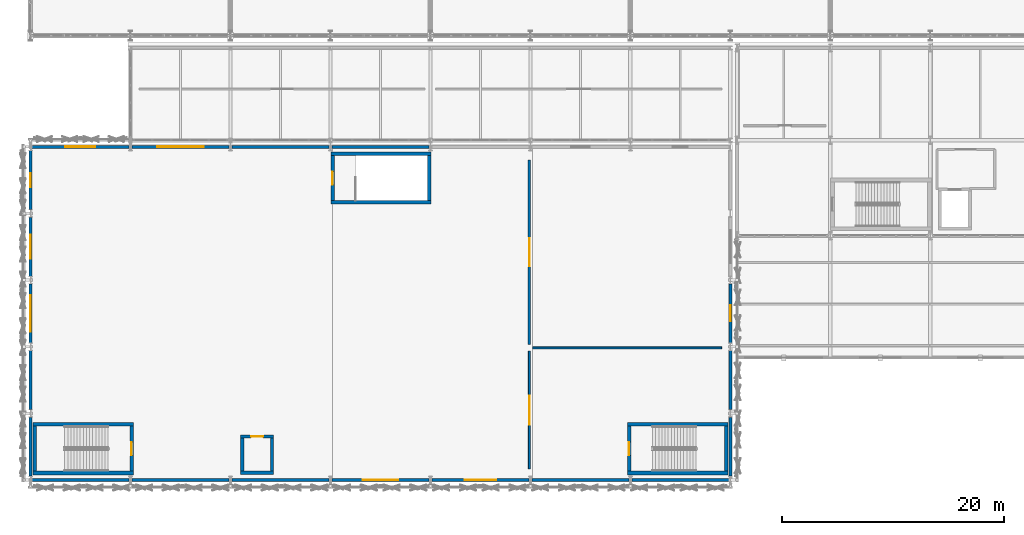
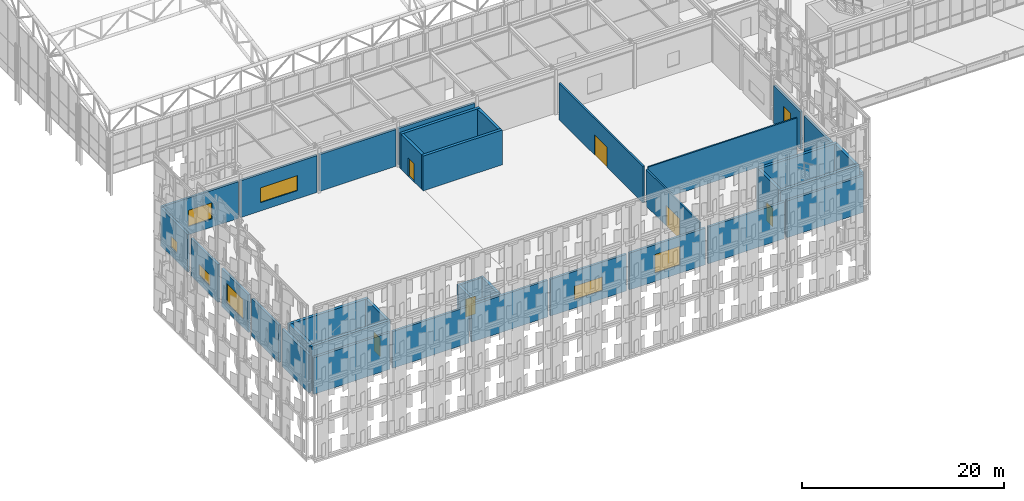
# One storey, part 200 of 239: 38 walls, 8 windows, 6 doors, 14 openings.
"""IFC4 building model written with IfcOpenShell, lengths in metres."""

from ifc_helpers import new_model, si_unit, direction, frame, frame_2d, origin, place, context, subcontext, project, spatial, rectangle, extrude, material, layer, layer_set, type_object, element, fill, save


model = new_model("IFC4")

# Units and contexts
model_context = context("Model", 3, precision=1e-05, world=origin(), true_north=direction((0.0, 1.0)))
body_context = subcontext(model_context, "Body", "Model", "MODEL_VIEW")
ifc_project = project(units=[si_unit("LENGTHUNIT", "METRE"), si_unit("AREAUNIT", "SQUARE_METRE"), si_unit("VOLUMEUNIT", "CUBIC_METRE"), si_unit("PLANEANGLEUNIT", "RADIAN"), si_unit("MASSUNIT", "GRAM", prefix="KILO")], contexts=[model_context])

# Site, building, storey
site_placement = place(None, origin())
site = spatial("IfcSite", under=ifc_project, at=site_placement, CompositionType="ELEMENT")
building_placement = place(site_placement, origin())
building = spatial("IfcBuilding", under=site, at=building_placement, Name="Kaldris Quays Convention Centre", CompositionType="ELEMENT")
storey_placement = place(building_placement, frame((0.0, 0.0, 11.39990234375)))
storey = spatial("IfcBuildingStorey", under=building, at=storey_placement, Name="L02", CompositionType="ELEMENT", Elevation=11.39990234375)

# Wall
ifc_material_1 = material(Name="Precast concrete C40/50", Category="concrete")
ifc_layer_1 = layer(ifc_material_1, 0.263916015625)
ifc_layer_set_1 = layer_set([ifc_layer_1], Name="Precast concrete C40/50")
wall_type_1 = type_object("IfcWallType", Name="EXTERIOR WALL EW04", PredefinedType="STANDARD", material=ifc_layer_set_1)
wall_1_placement = place(storey_placement, frame((20.14599609375, 16.0, 0.0), z_axis=(0.0, 0.0, 1.0), x_axis=(1.0, 0.0, 0.0)))
element("IfcWall", 1, at=wall_1_placement, inside=storey, type_object=wall_type_1, Name="L02 Exterior Wall EW04 166", PredefinedType="STANDARD", context=body_context, shape_type="SweptSolid", body=[
    extrude(rectangle(XDim=8.7080078125, YDim=0.263916015625, at=frame_2d((4.35400390625, 0.0))), origin(), (0.0, 0.0, 1.0), 4.43798828125),
])

# Wall, opening, window
wall_2_placement = place(storey_placement, frame((20.14599609375, 46.0, 0.0), z_axis=(0.0, 0.0, 1.0), x_axis=(1.0, 0.0, 0.0)))
wall_2 = element("IfcWall", 2, at=wall_2_placement, inside=storey, type_object=wall_type_1, Name="L02 Exterior Wall EW04 167", PredefinedType="STANDARD", context=body_context, shape_type="SweptSolid", body=[
    extrude(rectangle(XDim=8.7080078125, YDim=0.263916015625, at=frame_2d((4.35400390625, 0.0))), origin(), (0.0, 0.0, 1.0), 4.43798828125),
])
opening_1_placement = place(wall_2_placement, frame((3.00390625, 0.0, 1.0)))
opening_1 = element("IfcOpeningElement", 3, at=opening_1_placement, cuts=wall_2, Name="Opening WN05", PredefinedType="OPENING", context=body_context, shape_type="SweptSolid", body=[
    extrude(rectangle(XDim=2.699951171875, YDim=1.949951171875, at=frame_2d((1.35009765625, 0.97509765625))), frame((0.0, 0.14208984375, 0.0), z_axis=(0.0, -1.0, 0.0), x_axis=(1.0, 0.0, 0.0)), (0.0, 0.0, 1.0), 0.283935546875),
])
ifc_material_2 = material(Name="Triple low-E insulated glazing", Category="glass")
window_type_1 = type_object("IfcWindowType", Name="TRIPLE GLAZED WINDOW WN05", PartitioningType="SINGLE_PANEL", PredefinedType="WINDOW", material=ifc_material_2)
window_1_placement = place(opening_1_placement, origin())
window_1 = element("IfcWindow", 4, at=window_1_placement, inside=storey, type_object=window_type_1, Name="L02 Exterior Window WN05 60", OverallHeight=1.949951171875, OverallWidth=2.699951171875, PartitioningType="SINGLE_PANEL", PredefinedType="WINDOW", context=body_context, shape_type="SweptSolid", body=[
    extrude(rectangle(XDim=2.699951171875, YDim=1.949951171875, at=frame_2d((1.35009765625, 0.97509765625))), frame((0.0, 0.030029296875, 0.0), z_axis=(0.0, -1.0, 0.0), x_axis=(1.0, 0.0, 0.0)), (0.0, 0.0, 1.0), 0.06005859375),
])
fill(opening_1, window_1)

# Wall
wall_3_placement = place(storey_placement, frame((29.14599609375, 16.0, 0.0), z_axis=(0.0, 0.0, 1.0), x_axis=(1.0, 0.0, 0.0)))
element("IfcWall", 5, at=wall_3_placement, inside=storey, type_object=wall_type_1, Name="L02 Exterior Wall EW04 168", PredefinedType="STANDARD", context=body_context, shape_type="SweptSolid", body=[
    extrude(rectangle(XDim=8.7080078125, YDim=0.263916015625, at=frame_2d((4.35400390625, 0.0))), origin(), (0.0, 0.0, 1.0), 4.43798828125),
])

# Wall, opening, window
wall_4_placement = place(storey_placement, frame((29.14599609375, 46.0, 0.0), z_axis=(0.0, 0.0, 1.0), x_axis=(1.0, 0.0, 0.0)))
wall_4 = element("IfcWall", 6, at=wall_4_placement, inside=storey, type_object=wall_type_1, Name="L02 Exterior Wall EW04 169", PredefinedType="STANDARD", context=body_context, shape_type="SweptSolid", body=[
    extrude(rectangle(XDim=8.7080078125, YDim=0.263916015625, at=frame_2d((4.35400390625, 0.0))), origin(), (0.0, 0.0, 1.0), 4.43798828125),
])
opening_2_placement = place(wall_4_placement, frame((2.25390625, 0.0, 1.0)))
opening_2 = element("IfcOpeningElement", 7, at=opening_2_placement, cuts=wall_4, Name="Opening WN07", PredefinedType="OPENING", context=body_context, shape_type="SweptSolid", body=[
    extrude(rectangle(XDim=4.199951171875, YDim=1.800048828125, at=frame_2d((2.10009765625, 0.89990234375))), frame((0.0, 0.14208984375, 0.0), z_axis=(0.0, -1.0, 0.0), x_axis=(1.0, 0.0, 0.0)), (0.0, 0.0, 1.0), 0.283935546875),
])
window_type_2 = type_object("IfcWindowType", Name="TRIPLE GLAZED WINDOW WN07", PartitioningType="SINGLE_PANEL", PredefinedType="WINDOW", material=ifc_material_2)
window_2_placement = place(opening_2_placement, origin())
window_2 = element("IfcWindow", 8, at=window_2_placement, inside=storey, type_object=window_type_2, Name="L02 Exterior Window WN07 61", OverallHeight=1.800048828125, OverallWidth=4.199951171875, PartitioningType="SINGLE_PANEL", PredefinedType="WINDOW", context=body_context, shape_type="SweptSolid", body=[
    extrude(rectangle(XDim=4.199951171875, YDim=1.800048828125, at=frame_2d((2.10009765625, 0.89990234375))), frame((0.0, 0.030029296875, 0.0), z_axis=(0.0, -1.0, 0.0), x_axis=(1.0, 0.0, 0.0)), (0.0, 0.0, 1.0), 0.06005859375),
])
fill(opening_2, window_2)

# Walls
for number, where, z_axis, x_axis, name in (
    (9, (38.14599609375, 16.0, 0.0), (0.0, 0.0, 1.0), (1.0, 0.0, 0.0), "L02 Exterior Wall EW04 170"),
    (10, (38.14599609375, 46.0, 0.0), (0.0, 0.0, 1.0), (1.0, 0.0, 0.0), "L02 Exterior Wall EW04 171"),
):
    element("IfcWall", number, at=place(storey_placement, frame(where, z_axis=z_axis, x_axis=x_axis)), inside=storey, type_object=wall_type_1, Name=name, PredefinedType="STANDARD", context=body_context, shape_type="SweptSolid", body=[
        extrude(rectangle(XDim=8.7080078125, YDim=0.263916015625, at=frame_2d((4.35400390625, 0.0))), origin(), (0.0, 0.0, 1.0), 4.43798828125),
    ])

# Wall, opening, window
wall_5_placement = place(storey_placement, frame((47.14599609375, 16.0, 0.0), z_axis=(0.0, 0.0, 1.0), x_axis=(1.0, 0.0, 0.0)))
wall_5 = element("IfcWall", 11, at=wall_5_placement, inside=storey, type_object=wall_type_1, Name="L02 Exterior Wall EW04 172", PredefinedType="STANDARD", context=body_context, shape_type="SweptSolid", body=[
    extrude(rectangle(XDim=8.7080078125, YDim=0.263916015625, at=frame_2d((4.35400390625, 0.0))), origin(), (0.0, 0.0, 1.0), 4.43798828125),
])
opening_3_placement = place(wall_5_placement, frame((2.75390625, 0.0, 1.0)))
opening_3 = element("IfcOpeningElement", 12, at=opening_3_placement, cuts=wall_5, Name="Opening WN10", PredefinedType="OPENING", context=body_context, shape_type="SweptSolid", body=[
    extrude(rectangle(XDim=3.199951171875, YDim=1.64990234375, at=frame_2d((1.60009765625, 0.824951171875))), frame((0.0, 0.14208984375, 0.0), z_axis=(0.0, -1.0, 0.0), x_axis=(1.0, 0.0, 0.0)), (0.0, 0.0, 1.0), 0.283935546875),
])
window_type_3 = type_object("IfcWindowType", Name="TRIPLE GLAZED WINDOW WN10", PartitioningType="SINGLE_PANEL", PredefinedType="WINDOW", material=ifc_material_2)
window_3_placement = place(opening_3_placement, origin())
window_3 = element("IfcWindow", 13, at=window_3_placement, inside=storey, type_object=window_type_3, Name="L02 Exterior Window WN10 62", OverallHeight=1.64990234375, OverallWidth=3.199951171875, PartitioningType="SINGLE_PANEL", PredefinedType="WINDOW", context=body_context, shape_type="SweptSolid", body=[
    extrude(rectangle(XDim=3.199951171875, YDim=1.64990234375, at=frame_2d((1.60009765625, 0.824951171875))), frame((0.0, 0.030029296875, 0.0), z_axis=(0.0, -1.0, 0.0), x_axis=(1.0, 0.0, 0.0)), (0.0, 0.0, 1.0), 0.06005859375),
])
fill(opening_3, window_3)

# Wall
wall_6_placement = place(storey_placement, frame((47.14599609375, 46.0, 0.0), z_axis=(0.0, 0.0, 1.0), x_axis=(1.0, 0.0, 0.0)))
element("IfcWall", 14, at=wall_6_placement, inside=storey, type_object=wall_type_1, Name="L02 Exterior Wall EW04 173", PredefinedType="STANDARD", context=body_context, shape_type="SweptSolid", body=[
    extrude(rectangle(XDim=8.7080078125, YDim=0.263916015625, at=frame_2d((4.35400390625, 0.0))), origin(), (0.0, 0.0, 1.0), 4.43798828125),
])

# Wall, opening, window
wall_7_placement = place(storey_placement, frame((56.14599609375, 16.0, 0.0), z_axis=(0.0, 0.0, 1.0), x_axis=(1.0, 0.0, 0.0)))
wall_7 = element("IfcWall", 15, at=wall_7_placement, inside=storey, type_object=wall_type_1, Name="L02 Exterior Wall EW04 174", PredefinedType="STANDARD", context=body_context, shape_type="SweptSolid", body=[
    extrude(rectangle(XDim=8.7080078125, YDim=0.263916015625, at=frame_2d((4.35400390625, 0.0))), origin(), (0.0, 0.0, 1.0), 4.43798828125),
])
opening_4_placement = place(wall_7_placement, frame((2.928955078125, 0.0, 1.0)))
opening_4 = element("IfcOpeningElement", 16, at=opening_4_placement, cuts=wall_7, Name="Opening WN12", PredefinedType="OPENING", context=body_context, shape_type="SweptSolid", body=[
    extrude(rectangle(XDim=2.85009765625, YDim=2.25, at=frame_2d((1.425048828125, 1.125))), frame((0.0, 0.14208984375, 0.0), z_axis=(0.0, -1.0, 0.0), x_axis=(1.0, 0.0, 0.0)), (0.0, 0.0, 1.0), 0.283935546875),
])
window_type_4 = type_object("IfcWindowType", Name="TRIPLE GLAZED WINDOW WN12", PartitioningType="SINGLE_PANEL", PredefinedType="WINDOW", material=ifc_material_2)
window_4_placement = place(opening_4_placement, origin())
window_4 = element("IfcWindow", 17, at=window_4_placement, inside=storey, type_object=window_type_4, Name="L02 Exterior Window WN12 63", OverallHeight=2.25, OverallWidth=2.85009765625, PartitioningType="SINGLE_PANEL", PredefinedType="WINDOW", context=body_context, shape_type="SweptSolid", body=[
    extrude(rectangle(XDim=2.85009765625, YDim=2.25, at=frame_2d((1.425048828125, 1.125))), frame((0.0, 0.030029296875, 0.0), z_axis=(0.0, -1.0, 0.0), x_axis=(1.0, 0.0, 0.0)), (0.0, 0.0, 1.0), 0.06005859375),
])
fill(opening_4, window_4)

# Walls
for number, where, z_axis, x_axis, name in (
    (18, (65.14599609375, 16.0, 0.0), (0.0, 0.0, 1.0), (1.0, 0.0, 0.0), "L02 Exterior Wall EW04 176"),
    (19, (74.14599609375, 16.0, 0.0), (0.0, 0.0, 1.0), (1.0, 0.0, 0.0), "L02 Exterior Wall EW04 178"),
):
    element("IfcWall", number, at=place(storey_placement, frame(where, z_axis=z_axis, x_axis=x_axis)), inside=storey, type_object=wall_type_1, Name=name, PredefinedType="STANDARD", context=body_context, shape_type="SweptSolid", body=[
        extrude(rectangle(XDim=8.7080078125, YDim=0.263916015625, at=frame_2d((4.35400390625, 0.0))), origin(), (0.0, 0.0, 1.0), 4.43798828125),
    ])
for number, where, z_axis, x_axis, name in (
    (20, (20.0, 16.345947265625, 0.0), (0.0, 0.0, 1.0), (0.0, 1.0, 0.0), "L02 Exterior Wall EW04 180"),
    (21, (83.0, 16.345947265625, 0.0), (0.0, 0.0, 1.0), (0.0, 1.0, 0.0), "L02 Exterior Wall EW04 181"),
    (22, (20.0, 22.345947265625, 0.0), (0.0, 0.0, 1.0), (0.0, 1.0, 0.0), "L02 Exterior Wall EW04 182"),
    (23, (83.0, 22.345947265625, 0.0), (0.0, 0.0, 1.0), (0.0, 1.0, 0.0), "L02 Exterior Wall EW04 183"),
):
    element("IfcWall", number, at=place(storey_placement, frame(where, z_axis=z_axis, x_axis=x_axis)), inside=storey, type_object=wall_type_1, Name=name, PredefinedType="STANDARD", context=body_context, shape_type="SweptSolid", body=[
        extrude(rectangle(XDim=5.30810546875, YDim=0.263916015625, at=frame_2d((2.654052734375, 0.0))), origin(), (0.0, 0.0, 1.0), 4.5380859375),
    ])

# Wall, opening, window
wall_8_placement = place(storey_placement, frame((20.0, 28.345947265625, 0.0), z_axis=(0.0, 0.0, 1.0), x_axis=(0.0, 1.0, 0.0)))
wall_8 = element("IfcWall", 24, at=wall_8_placement, inside=storey, type_object=wall_type_1, Name="L02 Exterior Wall EW04 184", PredefinedType="STANDARD", context=body_context, shape_type="SweptSolid", body=[
    extrude(rectangle(XDim=5.30810546875, YDim=0.263916015625, at=frame_2d((2.654052734375, 0.0))), origin(), (0.0, 0.0, 1.0), 4.5380859375),
])
opening_5_placement = place(wall_8_placement, frame((1.00390625, 0.0, 1.0)))
opening_5 = element("IfcOpeningElement", 25, at=opening_5_placement, cuts=wall_8, Name="Opening WN24", PredefinedType="OPENING", context=body_context, shape_type="SweptSolid", body=[
    extrude(rectangle(XDim=3.300048828125, YDim=2.35009765625, at=frame_2d((1.64990234375, 1.175048828125))), frame((0.0, 0.14208984375, 0.0), z_axis=(0.0, -1.0, 0.0), x_axis=(1.0, 0.0, 0.0)), (0.0, 0.0, 1.0), 0.283935546875),
])
window_type_5 = type_object("IfcWindowType", Name="TRIPLE GLAZED WINDOW WN24", PartitioningType="SINGLE_PANEL", PredefinedType="WINDOW", material=ifc_material_2)
window_5_placement = place(opening_5_placement, origin())
window_5 = element("IfcWindow", 26, at=window_5_placement, inside=storey, type_object=window_type_5, Name="L02 Exterior Window WN24 66", OverallHeight=2.35009765625, OverallWidth=3.300048828125, PartitioningType="SINGLE_PANEL", PredefinedType="WINDOW", context=body_context, shape_type="SweptSolid", body=[
    extrude(rectangle(XDim=3.300048828125, YDim=2.35009765625, at=frame_2d((1.64990234375, 1.175048828125))), frame((0.0, 0.030029296875, 0.0), z_axis=(0.0, -1.0, 0.0), x_axis=(1.0, 0.0, 0.0)), (0.0, 0.0, 1.0), 0.06005859375),
])
fill(opening_5, window_5)

wall_9_placement = place(storey_placement, frame((83.0, 28.345947265625, 0.0), z_axis=(0.0, 0.0, 1.0), x_axis=(0.0, 1.0, 0.0)))
wall_9 = element("IfcWall", 27, at=wall_9_placement, inside=storey, type_object=wall_type_1, Name="L02 Exterior Wall EW04 185", PredefinedType="STANDARD", context=body_context, shape_type="SweptSolid", body=[
    extrude(rectangle(XDim=5.30810546875, YDim=0.263916015625, at=frame_2d((2.654052734375, 0.0))), origin(), (0.0, 0.0, 1.0), 4.5380859375),
])
opening_6_placement = place(wall_9_placement, frame((1.928955078125, 0.0, 1.0)))
opening_6 = element("IfcOpeningElement", 28, at=opening_6_placement, cuts=wall_9, Name="Opening WN25", PredefinedType="OPENING", context=body_context, shape_type="SweptSolid", body=[
    extrude(rectangle(XDim=1.449951171875, YDim=2.199951171875, at=frame_2d((0.72509765625, 1.10009765625))), frame((0.0, 0.14208984375, 0.0), z_axis=(0.0, -1.0, 0.0), x_axis=(1.0, 0.0, 0.0)), (0.0, 0.0, 1.0), 0.283935546875),
])
window_type_6 = type_object("IfcWindowType", Name="TRIPLE GLAZED WINDOW WN25", PartitioningType="SINGLE_PANEL", PredefinedType="WINDOW", material=ifc_material_2)
window_6_placement = place(opening_6_placement, origin())
window_6 = element("IfcWindow", 29, at=window_6_placement, inside=storey, type_object=window_type_6, Name="L02 Exterior Window WN25 67", OverallHeight=2.199951171875, OverallWidth=1.449951171875, PartitioningType="SINGLE_PANEL", PredefinedType="WINDOW", context=body_context, shape_type="SweptSolid", body=[
    extrude(rectangle(XDim=1.449951171875, YDim=2.199951171875, at=frame_2d((0.72509765625, 1.10009765625))), frame((0.0, 0.030029296875, 0.0), z_axis=(0.0, -1.0, 0.0), x_axis=(1.0, 0.0, 0.0)), (0.0, 0.0, 1.0), 0.06005859375),
])
fill(opening_6, window_6)

wall_10_placement = place(storey_placement, frame((20.0, 34.345947265625, 0.0), z_axis=(0.0, 0.0, 1.0), x_axis=(0.0, 1.0, 0.0)))
wall_10 = element("IfcWall", 30, at=wall_10_placement, inside=storey, type_object=wall_type_1, Name="L02 Exterior Wall EW04 186", PredefinedType="STANDARD", context=body_context, shape_type="SweptSolid", body=[
    extrude(rectangle(XDim=5.30810546875, YDim=0.263916015625, at=frame_2d((2.654052734375, 0.0))), origin(), (0.0, 0.0, 1.0), 4.5380859375),
])
opening_7_placement = place(wall_10_placement, frame((1.553955078125, 0.0, 1.0)))
opening_7 = element("IfcOpeningElement", 31, at=opening_7_placement, cuts=wall_10, Name="Opening WN27", PredefinedType="OPENING", context=body_context, shape_type="SweptSolid", body=[
    extrude(rectangle(XDim=2.199951171875, YDim=1.35009765625, at=frame_2d((1.10009765625, 0.675048828125))), frame((0.0, 0.14208984375, 0.0), z_axis=(0.0, -1.0, 0.0), x_axis=(1.0, 0.0, 0.0)), (0.0, 0.0, 1.0), 0.283935546875),
])
window_type_7 = type_object("IfcWindowType", Name="TRIPLE GLAZED WINDOW WN27", PartitioningType="SINGLE_PANEL", PredefinedType="WINDOW", material=ifc_material_2)
window_7_placement = place(opening_7_placement, origin())
window_7 = element("IfcWindow", 32, at=window_7_placement, inside=storey, type_object=window_type_7, Name="L02 Exterior Window WN27 68", OverallHeight=1.35009765625, OverallWidth=2.199951171875, PartitioningType="SINGLE_PANEL", PredefinedType="WINDOW", context=body_context, shape_type="SweptSolid", body=[
    extrude(rectangle(XDim=2.199951171875, YDim=1.35009765625, at=frame_2d((1.10009765625, 0.675048828125))), frame((0.0, 0.030029296875, 0.0), z_axis=(0.0, -1.0, 0.0), x_axis=(1.0, 0.0, 0.0)), (0.0, 0.0, 1.0), 0.06005859375),
])
fill(opening_7, window_7)

wall_11_placement = place(storey_placement, frame((20.0, 40.345947265625, 0.0), z_axis=(0.0, 0.0, 1.0), x_axis=(0.0, 1.0, 0.0)))
wall_11 = element("IfcWall", 33, at=wall_11_placement, inside=storey, type_object=wall_type_1, Name="L02 Exterior Wall EW04 188", PredefinedType="STANDARD", context=body_context, shape_type="SweptSolid", body=[
    extrude(rectangle(XDim=5.30810546875, YDim=0.263916015625, at=frame_2d((2.654052734375, 0.0))), origin(), (0.0, 0.0, 1.0), 4.5380859375),
])
opening_8_placement = place(wall_11_placement, frame((2.029052734375, 0.0, 1.0)))
opening_8 = element("IfcOpeningElement", 34, at=opening_8_placement, cuts=wall_11, Name="Opening WN29", PredefinedType="OPENING", context=body_context, shape_type="SweptSolid", body=[
    extrude(rectangle(XDim=1.25, YDim=1.39990234375, at=frame_2d((0.625, 0.699951171875))), frame((0.0, 0.14208984375, 0.0), z_axis=(0.0, -1.0, 0.0), x_axis=(1.0, 0.0, 0.0)), (0.0, 0.0, 1.0), 0.283935546875),
])
window_type_8 = type_object("IfcWindowType", Name="TRIPLE GLAZED WINDOW WN29", PartitioningType="SINGLE_PANEL", PredefinedType="WINDOW", material=ifc_material_2)
window_8_placement = place(opening_8_placement, origin())
window_8 = element("IfcWindow", 35, at=window_8_placement, inside=storey, type_object=window_type_8, Name="L02 Exterior Window WN29 70", OverallHeight=1.39990234375, OverallWidth=1.25, PartitioningType="SINGLE_PANEL", PredefinedType="WINDOW", context=body_context, shape_type="SweptSolid", body=[
    extrude(rectangle(XDim=1.25, YDim=1.39990234375, at=frame_2d((0.625, 0.699951171875))), frame((0.0, 0.030029296875, 0.0), z_axis=(0.0, -1.0, 0.0), x_axis=(1.0, 0.0, 0.0)), (0.0, 0.0, 1.0), 0.06005859375),
])
fill(opening_8, window_8)

# Wall, opening, door
ifc_material_3 = material(Name="Acoustic gypsum stud partition", Category="gypsum")
ifc_layer_2 = layer(ifc_material_3, 0.177978515625)
ifc_layer_set_2 = layer_set([ifc_layer_2], Name="Acoustic gypsum stud partition")
wall_type_2 = type_object("IfcWallType", Name="INTERIOR WALL IW02", PredefinedType="PARTITIONING", material=ifc_layer_set_2)
wall_12_placement = place(storey_placement, frame((64.89990234375, 17.0, 0.0), z_axis=(0.0, 0.0, 1.0), x_axis=(0.0, 1.0, 0.0)))
wall_12 = element("IfcWall", 36, at=wall_12_placement, inside=storey, type_object=wall_type_2, Name="L02 Interior Wall IW02 80", PredefinedType="PARTITIONING", context=body_context, shape_type="SweptSolid", body=[
    extrude(rectangle(XDim=10.60009765625, YDim=0.177978515625, at=frame_2d((5.300048828125, 0.0))), origin(), (0.0, 0.0, 1.0), 4.400146484375),
])
opening_9_placement = place(wall_12_placement, frame((3.989990234375, 0.0, 0.0)))
opening_9 = element("IfcOpeningElement", 37, at=opening_9_placement, cuts=wall_12, Name="Opening ID24", PredefinedType="OPENING", context=body_context, shape_type="SweptSolid", body=[
    extrude(rectangle(XDim=2.6201171875, YDim=2.47998046875, at=frame_2d((1.31005859375, 1.239990234375))), frame((0.0, 0.09912109375, 0.0), z_axis=(0.0, -1.0, 0.0), x_axis=(1.0, 0.0, 0.0)), (0.0, 0.0, 1.0), 0.197998046875),
])
ifc_material_4 = material(Name="Plenary foyer double door", Category="aluminium")
door_type_1 = type_object("IfcDoorType", Name="INTERIOR DOOR ID24", OperationType="DOUBLE_DOOR_SINGLE_SWING", PredefinedType="DOOR", material=ifc_material_4)
door_1_placement = place(opening_9_placement, origin())
door_1 = element("IfcDoor", 38, at=door_1_placement, inside=storey, type_object=door_type_1, Name="L02 Interior Door ID24 54", OperationType="DOUBLE_DOOR_SINGLE_SWING", OverallHeight=2.47998046875, OverallWidth=2.6201171875, PredefinedType="DOOR", context=body_context, shape_type="SweptSolid", body=[
    extrude(rectangle(XDim=2.6201171875, YDim=2.47998046875, at=frame_2d((1.31005859375, 1.239990234375))), frame((0.0, 0.02490234375, 0.0), z_axis=(0.0, -1.0, 0.0), x_axis=(1.0, 0.0, 0.0)), (0.0, 0.0, 1.0), 0.050048828125),
])
fill(opening_9, door_1)

# Wall
ifc_layer_3 = layer(ifc_material_3, 0.162109375)
ifc_layer_set_3 = layer_set([ifc_layer_3], Name="Acoustic gypsum stud partition")
wall_type_3 = type_object("IfcWallType", Name="INTERIOR WALL IW03", PredefinedType="PARTITIONING", material=ifc_layer_set_3)
wall_13_placement = place(storey_placement, frame((65.199951171875, 27.89990234375, 0.0), z_axis=(0.0, 0.0, 1.0), x_axis=(1.0, 0.0, 0.0)))
element("IfcWall", 39, at=wall_13_placement, inside=storey, type_object=wall_type_3, Name="L02 Interior Wall IW03 81", PredefinedType="PARTITIONING", context=body_context, shape_type="SweptSolid", body=[
    extrude(rectangle(XDim=17.0, YDim=0.162109375, at=frame_2d((8.5, 0.0))), origin(), (0.0, 0.0, 1.0), 4.400146484375),
])

# Wall, opening, door
ifc_material_5 = material(Name="Steel S355J2 acoustic operable panel", Category="steel")
ifc_layer_4 = layer(ifc_material_5, 0.194091796875)
ifc_layer_set_4 = layer_set([ifc_layer_4], Name="Steel S355J2 acoustic operable panel")
wall_type_4 = type_object("IfcWallType", Name="INTERIOR WALL MW03", PredefinedType="MOVABLE", material=ifc_layer_set_4)
wall_14_placement = place(storey_placement, frame((64.89990234375, 28.199951171875, 0.0), z_axis=(0.0, 0.0, 1.0), x_axis=(0.0, 1.0, 0.0)))
wall_14 = element("IfcWall", 40, at=wall_14_placement, inside=storey, type_object=wall_type_4, Name="L02 Interior Wall MW03 79", PredefinedType="MOVABLE", context=body_context, shape_type="SweptSolid", body=[
    extrude(rectangle(XDim=16.60009765625, YDim=0.194091796875, at=frame_2d((8.300048828125, 0.0))), origin(), (0.0, 0.0, 1.0), 4.400146484375),
])
opening_10_placement = place(wall_14_placement, frame((7.050048828125, 0.0, 0.0)))
opening_10 = element("IfcOpeningElement", 41, at=opening_10_placement, cuts=wall_14, Name="Opening ID16", PredefinedType="OPENING", context=body_context, shape_type="SweptSolid", body=[
    extrude(rectangle(XDim=2.5, YDim=2.419921875, at=frame_2d((1.25, 1.2099609375))), frame((0.0, 0.10693359375, 0.0), z_axis=(0.0, -1.0, 0.0), x_axis=(1.0, 0.0, 0.0)), (0.0, 0.0, 1.0), 0.214111328125),
])
ifc_material_6 = material(Name="Grand Ballroom acoustic double door", Category="wood")
door_type_2 = type_object("IfcDoorType", Name="INTERIOR DOOR ID16", OperationType="DOUBLE_DOOR_SINGLE_SWING", PredefinedType="DOOR", material=ifc_material_6)
door_2_placement = place(opening_10_placement, origin())
door_2 = element("IfcDoor", 42, at=door_2_placement, inside=storey, type_object=door_type_2, Name="L02 Interior Door ID16 53", OperationType="DOUBLE_DOOR_SINGLE_SWING", OverallHeight=2.419921875, OverallWidth=2.5, PredefinedType="DOOR", context=body_context, shape_type="SweptSolid", body=[
    extrude(rectangle(XDim=2.5, YDim=2.419921875, at=frame_2d((1.25, 1.2099609375))), frame((0.0, 0.02490234375, 0.0), z_axis=(0.0, -1.0, 0.0), x_axis=(1.0, 0.0, 0.0)), (0.0, 0.0, 1.0), 0.050048828125),
])
fill(opening_10, door_2)

# Walls
ifc_material_7 = material(Name="Concrete C40/50", Category="concrete")
ifc_layer_5 = layer(ifc_material_7, 0.320068359375)
ifc_layer_set_5 = layer_set([ifc_layer_5], Name="Concrete C40/50")
wall_type_5 = type_object("IfcWallType", Name="STRUCTURAL WALL SW02", PredefinedType="SHEAR", material=ifc_layer_set_5)
for number, where, z_axis, x_axis, name in (
    (43, (20.22998046875, 16.639892578125, 0.0), (0.0, 0.0, 1.0), (1.0, 0.0, 0.0), "L02 Core Shear Wall CORE-ST05-L02-S"),
    (44, (20.22998046875, 21.010009765625, 0.0), (0.0, 0.0, 1.0), (1.0, 0.0, 0.0), "L02 Core Shear Wall CORE-ST05-L02-N"),
):
    element("IfcWall", number, at=place(storey_placement, frame(where, z_axis=z_axis, x_axis=x_axis)), inside=storey, type_object=wall_type_5, Name=name, PredefinedType="SHEAR", context=body_context, shape_type="SweptSolid", body=[
        extrude(rectangle(XDim=9.0400390625, YDim=0.320068359375, at=frame_2d((4.52001953125, 0.0))), origin(), (0.0, 0.0, 1.0), 5.400146484375),
    ])
wall_15_placement = place(storey_placement, frame((20.389892578125, 16.800048828125, 0.0), z_axis=(0.0, 0.0, 1.0), x_axis=(0.0, 1.0, 0.0)))
element("IfcWall", 45, at=wall_15_placement, inside=storey, type_object=wall_type_5, Name="L02 Core Shear Wall CORE-ST05-L02-W", PredefinedType="SHEAR", context=body_context, shape_type="SweptSolid", body=[
    extrude(rectangle(XDim=4.050048828125, YDim=0.320068359375, at=frame_2d((2.02490234375, 0.0))), origin(), (0.0, 0.0, 1.0), 5.400146484375),
])

# Wall, opening, door
wall_16_placement = place(storey_placement, frame((29.110107421875, 16.800048828125, 0.0), z_axis=(0.0, 0.0, 1.0), x_axis=(0.0, 1.0, 0.0)))
wall_16 = element("IfcWall", 46, at=wall_16_placement, inside=storey, type_object=wall_type_5, Name="L02 Core Shear Wall CORE-ST05-L02-E", PredefinedType="SHEAR", context=body_context, shape_type="SweptSolid", body=[
    extrude(rectangle(XDim=4.050048828125, YDim=0.320068359375, at=frame_2d((2.02490234375, 0.0))), origin(), (0.0, 0.0, 1.0), 5.400146484375),
])
opening_11_placement = place(wall_16_placement, frame((1.425048828125, 0.0, 0.0)))
opening_11 = element("IfcOpeningElement", 47, at=opening_11_placement, cuts=wall_16, Name="Opening ID03", PredefinedType="OPENING", context=body_context, shape_type="SweptSolid", body=[
    extrude(rectangle(XDim=1.199951171875, YDim=2.199951171875, at=frame_2d((0.60009765625, 1.10009765625))), frame((0.0, 0.169921875, 0.0), z_axis=(0.0, -1.0, 0.0), x_axis=(1.0, 0.0, 0.0)), (0.0, 0.0, 1.0), 0.340087890625),
])
ifc_material_8 = material(Name="Steel S355J2 fire-resisting door", Category="steel")
door_type_3 = type_object("IfcDoorType", Name="INTERIOR DOOR ID03", OperationType="NOTDEFINED", PredefinedType="DOOR", material=ifc_material_8)
door_3_placement = place(opening_11_placement, origin())
door_3 = element("IfcDoor", 48, at=door_3_placement, inside=storey, type_object=door_type_3, Name="L02 Escape Stair ST05 Fire Door", OperationType="SINGLE_SWING_RIGHT", OverallHeight=2.199951171875, OverallWidth=1.199951171875, PredefinedType="DOOR", context=body_context, shape_type="SweptSolid", body=[
    extrude(rectangle(XDim=1.199951171875, YDim=2.199951171875, at=frame_2d((0.60009765625, 1.10009765625))), frame((0.0, 0.02490234375, 0.0), z_axis=(0.0, -1.0, 0.0), x_axis=(1.0, 0.0, 0.0)), (0.0, 0.0, 1.0), 0.050048828125),
])
fill(opening_11, door_3)

# Walls
for number, where, z_axis, x_axis, name in (
    (49, (73.72998046875, 16.639892578125, 0.0), (0.0, 0.0, 1.0), (1.0, 0.0, 0.0), "L02 Core Shear Wall CORE-ST06-L02-S"),
    (50, (73.72998046875, 21.010009765625, 0.0), (0.0, 0.0, 1.0), (1.0, 0.0, 0.0), "L02 Core Shear Wall CORE-ST06-L02-N"),
):
    element("IfcWall", number, at=place(storey_placement, frame(where, z_axis=z_axis, x_axis=x_axis)), inside=storey, type_object=wall_type_5, Name=name, PredefinedType="SHEAR", context=body_context, shape_type="SweptSolid", body=[
        extrude(rectangle(XDim=9.0400390625, YDim=0.320068359375, at=frame_2d((4.52001953125, 0.0))), origin(), (0.0, 0.0, 1.0), 5.400146484375),
    ])

# Wall, opening, door
wall_17_placement = place(storey_placement, frame((73.889892578125, 16.800048828125, 0.0), z_axis=(0.0, 0.0, 1.0), x_axis=(0.0, 1.0, 0.0)))
wall_17 = element("IfcWall", 51, at=wall_17_placement, inside=storey, type_object=wall_type_5, Name="L02 Core Shear Wall CORE-ST06-L02-W", PredefinedType="SHEAR", context=body_context, shape_type="SweptSolid", body=[
    extrude(rectangle(XDim=4.050048828125, YDim=0.320068359375, at=frame_2d((2.02490234375, 0.0))), origin(), (0.0, 0.0, 1.0), 5.400146484375),
])
opening_12_placement = place(wall_17_placement, frame((1.425048828125, 0.0, 0.0)))
opening_12 = element("IfcOpeningElement", 52, at=opening_12_placement, cuts=wall_17, Name="Opening ID03", PredefinedType="OPENING", context=body_context, shape_type="SweptSolid", body=[
    extrude(rectangle(XDim=1.199951171875, YDim=2.199951171875, at=frame_2d((0.60009765625, 1.10009765625))), frame((0.0, 0.169921875, 0.0), z_axis=(0.0, -1.0, 0.0), x_axis=(1.0, 0.0, 0.0)), (0.0, 0.0, 1.0), 0.340087890625),
])
door_4_placement = place(opening_12_placement, frame((1.199951171875, 0.0, 0.0), z_axis=(0.0, 0.0, 1.0), x_axis=(-1.0, 0.0, 0.0)))
door_4 = element("IfcDoor", 53, at=door_4_placement, inside=storey, type_object=door_type_3, Name="L02 Escape Stair ST06 Fire Door", OperationType="SINGLE_SWING_LEFT", OverallHeight=2.199951171875, OverallWidth=1.199951171875, PredefinedType="DOOR", context=body_context, shape_type="SweptSolid", body=[
    extrude(rectangle(XDim=1.199951171875, YDim=2.199951171875, at=frame_2d((0.60009765625, 1.10009765625))), frame((0.0, 0.02490234375, 0.0), z_axis=(0.0, -1.0, 0.0), x_axis=(1.0, 0.0, 0.0)), (0.0, 0.0, 1.0), 0.050048828125),
])
fill(opening_12, door_4)

# Walls
wall_18_placement = place(storey_placement, frame((82.610107421875, 16.800048828125, 0.0), z_axis=(0.0, 0.0, 1.0), x_axis=(0.0, 1.0, 0.0)))
element("IfcWall", 54, at=wall_18_placement, inside=storey, type_object=wall_type_5, Name="L02 Core Shear Wall CORE-ST06-L02-E", PredefinedType="SHEAR", context=body_context, shape_type="SweptSolid", body=[
    extrude(rectangle(XDim=4.050048828125, YDim=0.320068359375, at=frame_2d((2.02490234375, 0.0))), origin(), (0.0, 0.0, 1.0), 5.400146484375),
])
for number, where, z_axis, x_axis, name in (
    (55, (47.030029296875, 40.989990234375, 0.0), (0.0, 0.0, 1.0), (1.0, 0.0, 0.0), "L02 Core Shear Wall CORE-ST07-L02-S"),
    (56, (47.030029296875, 45.360107421875, 0.0), (0.0, 0.0, 1.0), (1.0, 0.0, 0.0), "L02 Core Shear Wall CORE-ST07-L02-N"),
):
    element("IfcWall", number, at=place(storey_placement, frame(where, z_axis=z_axis, x_axis=x_axis)), inside=storey, type_object=wall_type_5, Name=name, PredefinedType="SHEAR", context=body_context, shape_type="SweptSolid", body=[
        extrude(rectangle(XDim=9.0400390625, YDim=0.320068359375, at=frame_2d((4.52001953125, 0.0))), origin(), (0.0, 0.0, 1.0), 4.2001953125),
    ])

# Wall, opening, door
wall_19_placement = place(storey_placement, frame((47.18994140625, 41.14990234375, 0.0), z_axis=(0.0, 0.0, 1.0), x_axis=(0.0, 1.0, 0.0)))
wall_19 = element("IfcWall", 57, at=wall_19_placement, inside=storey, type_object=wall_type_5, Name="L02 Core Shear Wall CORE-ST07-L02-W", PredefinedType="SHEAR", context=body_context, shape_type="SweptSolid", body=[
    extrude(rectangle(XDim=4.050048828125, YDim=0.320068359375, at=frame_2d((2.02490234375, 0.0))), origin(), (0.0, 0.0, 1.0), 4.2001953125),
])
opening_13_placement = place(wall_19_placement, frame((1.425048828125, 0.0, 0.0)))
opening_13 = element("IfcOpeningElement", 58, at=opening_13_placement, cuts=wall_19, Name="Opening ID03", PredefinedType="OPENING", context=body_context, shape_type="SweptSolid", body=[
    extrude(rectangle(XDim=1.199951171875, YDim=2.199951171875, at=frame_2d((0.60009765625, 1.10009765625))), frame((0.0, 0.169921875, 0.0), z_axis=(0.0, -1.0, 0.0), x_axis=(1.0, 0.0, 0.0)), (0.0, 0.0, 1.0), 0.340087890625),
])
door_5_placement = place(opening_13_placement, frame((1.199951171875, 0.0, 0.0), z_axis=(0.0, 0.0, 1.0), x_axis=(-1.0, 0.0, 0.0)))
door_5 = element("IfcDoor", 59, at=door_5_placement, inside=storey, type_object=door_type_3, Name="L02 Escape Stair ST07 Fire Door", OperationType="SINGLE_SWING_RIGHT", OverallHeight=2.199951171875, OverallWidth=1.199951171875, PredefinedType="DOOR", context=body_context, shape_type="SweptSolid", body=[
    extrude(rectangle(XDim=1.199951171875, YDim=2.199951171875, at=frame_2d((0.60009765625, 1.10009765625))), frame((0.0, 0.02490234375, 0.0), z_axis=(0.0, -1.0, 0.0), x_axis=(1.0, 0.0, 0.0)), (0.0, 0.0, 1.0), 0.050048828125),
])
fill(opening_13, door_5)

# Walls
wall_20_placement = place(storey_placement, frame((55.909912109375, 41.14990234375, 0.0), z_axis=(0.0, 0.0, 1.0), x_axis=(0.0, 1.0, 0.0)))
element("IfcWall", 60, at=wall_20_placement, inside=storey, type_object=wall_type_5, Name="L02 Core Shear Wall CORE-ST07-L02-E", PredefinedType="SHEAR", context=body_context, shape_type="SweptSolid", body=[
    extrude(rectangle(XDim=4.050048828125, YDim=0.320068359375, at=frame_2d((2.02490234375, 0.0))), origin(), (0.0, 0.0, 1.0), 4.2001953125),
])
ifc_layer_6 = layer(ifc_material_7, 0.280029296875)
ifc_layer_set_6 = layer_set([ifc_layer_6], Name="Concrete C40/50")
wall_type_6 = type_object("IfcWallType", Name="STRUCTURAL WALL SW03", PredefinedType="SHEAR", material=ifc_layer_set_6)
wall_21_placement = place(storey_placement, frame((38.919921875, 16.659912109375, 0.0), z_axis=(0.0, 0.0, 1.0), x_axis=(1.0, 0.0, 0.0)))
element("IfcWall", 61, at=wall_21_placement, inside=storey, type_object=wall_type_6, Name="L02 Core Shear Wall LSHAFT-PL01-L02-S", PredefinedType="SHEAR", context=body_context, shape_type="SweptSolid", body=[
    extrude(rectangle(XDim=2.9599609375, YDim=0.280029296875, at=frame_2d((1.47998046875, 0.0))), origin(), (0.0, 0.0, 1.0), 4.2001953125),
])

# Wall, opening, door
wall_22_placement = place(storey_placement, frame((38.919921875, 19.93994140625, 0.0), z_axis=(0.0, 0.0, 1.0), x_axis=(1.0, 0.0, 0.0)))
wall_22 = element("IfcWall", 62, at=wall_22_placement, inside=storey, type_object=wall_type_6, Name="L02 Core Shear Wall LSHAFT-PL01-L02-N", PredefinedType="SHEAR", context=body_context, shape_type="SweptSolid", body=[
    extrude(rectangle(XDim=2.9599609375, YDim=0.280029296875, at=frame_2d((1.47998046875, 0.0))), origin(), (0.0, 0.0, 1.0), 4.2001953125),
])
opening_14_placement = place(wall_22_placement, frame((0.929931640625, 0.0, 0.0)))
opening_14 = element("IfcOpeningElement", 63, at=opening_14_placement, cuts=wall_22, Name="Opening LD01", PredefinedType="OPENING", context=body_context, shape_type="SweptSolid", body=[
    extrude(rectangle(XDim=1.10009765625, YDim=2.14990234375, at=frame_2d((0.550048828125, 1.074951171875))), frame((0.0, 0.14990234375, 0.0), z_axis=(0.0, -1.0, 0.0), x_axis=(1.0, 0.0, 0.0)), (0.0, 0.0, 1.0), 0.300048828125),
])
ifc_material_9 = material(Name="Stainless steel 1.4301 lift landing door", Category="steel")
door_type_4 = type_object("IfcDoorType", Name="INTERIOR DOOR LD01", OperationType="DOUBLE_DOOR_SLIDING", PredefinedType="DOOR", material=ifc_material_9)
door_6_placement = place(opening_14_placement, origin())
door_6 = element("IfcDoor", 64, at=door_6_placement, inside=storey, type_object=door_type_4, Name="L02 PL01 Sliding Lift Landing Door", OperationType="DOUBLE_DOOR_SLIDING", OverallHeight=2.14990234375, OverallWidth=1.10009765625, PredefinedType="DOOR", context=body_context, shape_type="SweptSolid", body=[
    extrude(rectangle(XDim=1.10009765625, YDim=2.14990234375, at=frame_2d((0.550048828125, 1.074951171875))), frame((0.0, 0.02490234375, 0.0), z_axis=(0.0, -1.0, 0.0), x_axis=(1.0, 0.0, 0.0)), (0.0, 0.0, 1.0), 0.050048828125),
])
fill(opening_14, door_6)

# Walls
for number, where, z_axis, x_axis, name in (
    (65, (39.06005859375, 16.800048828125, 0.0), (0.0, 0.0, 1.0), (0.0, 1.0, 0.0), "L02 Core Shear Wall LSHAFT-PL01-L02-W"),
    (66, (41.739990234375, 16.800048828125, 0.0), (0.0, 0.0, 1.0), (0.0, 1.0, 0.0), "L02 Core Shear Wall LSHAFT-PL01-L02-E"),
):
    element("IfcWall", number, at=place(storey_placement, frame(where, z_axis=z_axis, x_axis=x_axis)), inside=storey, type_object=wall_type_6, Name=name, PredefinedType="SHEAR", context=body_context, shape_type="SweptSolid", body=[
        extrude(rectangle(XDim=3.0, YDim=0.280029296875, at=frame_2d((1.5, 0.0))), origin(), (0.0, 0.0, 1.0), 4.2001953125),
    ])

save(model, "model.ifc")
